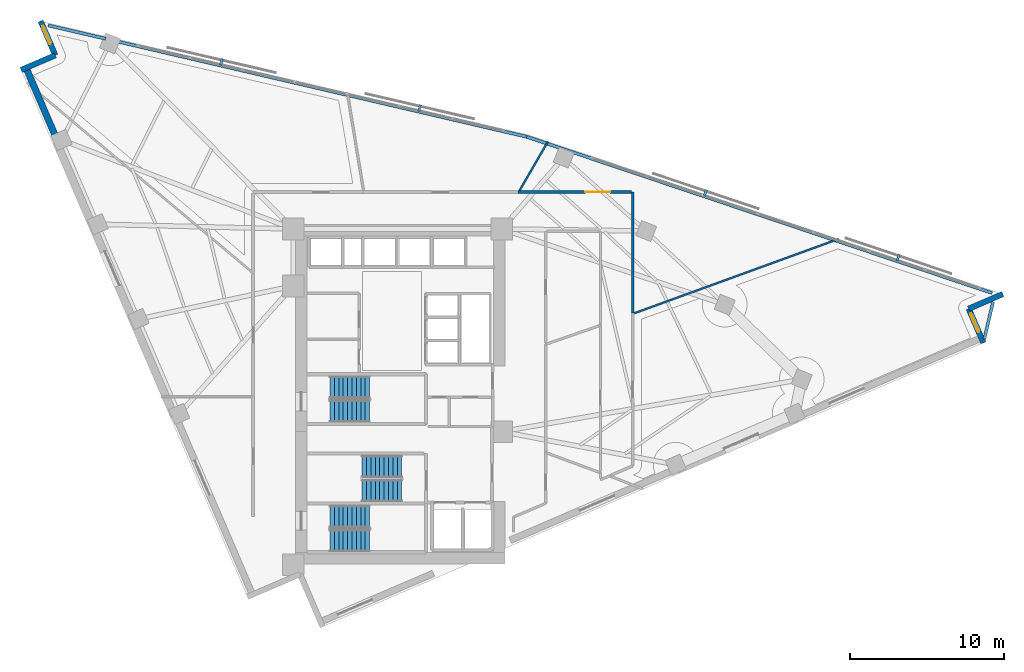
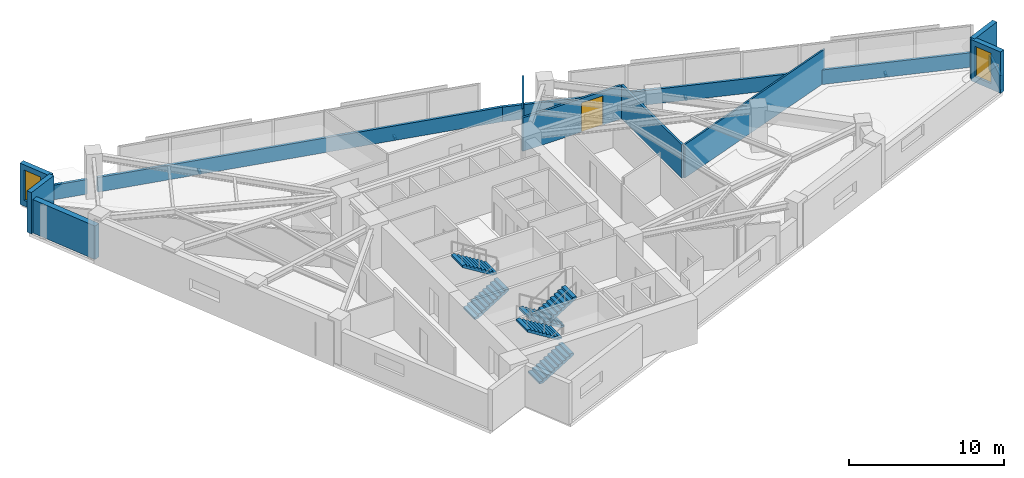
# One storey, part 12 of 14: 13 walls, 6 stair flights, 4 discrete accessories, 2 windows, 1 door, 3 openings, 3 elements without a shape of their own.
"""IFC4 building model written with IfcOpenShell, lengths in metres."""

from ifc_helpers import new_model, si_unit, direction, frame, frame_2d, origin, origin_2d, place, context, subcontext, project, spatial, polyline, rectangle, outline, extrude, material, layer, layer_set, type_object, element, fill, aggregate, save


model = new_model("IFC4")

# Units and contexts
model_context = context("Model", 3, precision=1e-05, world=origin(), true_north=direction((0.0, 1.0)))
body_context = subcontext(model_context, "Body", "Model", "MODEL_VIEW")
ifc_project = project(units=[si_unit("LENGTHUNIT", "METRE"), si_unit("AREAUNIT", "SQUARE_METRE"), si_unit("VOLUMEUNIT", "CUBIC_METRE"), si_unit("PLANEANGLEUNIT", "RADIAN"), si_unit("MASSUNIT", "GRAM", prefix="KILO")], contexts=[model_context])

# Site, building, storey
site_placement = place(None, origin())
site = spatial("IfcSite", under=ifc_project, at=site_placement, CompositionType="ELEMENT")
building_placement = place(site_placement, origin())
building = spatial("IfcBuilding", under=site, at=building_placement, Name="Narakoshi Arena Tower", CompositionType="ELEMENT")
storey_placement = place(building_placement, frame((0.0, 0.0, 182.6201171875)))
storey = spatial("IfcBuildingStorey", under=building, at=storey_placement, Name="L49", CompositionType="ELEMENT", Elevation=182.6201171875)

# Wall
ifc_material_1 = material(Name="Gypsum plasterboard fire-rated partition")
ifc_layer_1 = layer(ifc_material_1, 0.1650390625)
ifc_layer_set_1 = layer_set([ifc_layer_1], Name="Gypsum plasterboard fire-rated partition")
wall_type_1 = type_object("IfcWallType", Name="WL-CORR-165", PredefinedType="PARTITIONING", material=ifc_layer_set_1)
wall_1_placement = place(storey_placement, frame((94.050048828125, 51.05810546875, 0.0), z_axis=(0.0, 0.0, 1.0), x_axis=(0.0, 1.0, 0.0)))
element("IfcWall", 1, at=wall_1_placement, inside=storey, type_object=wall_type_1, Name="L49 Corridor Partition 05-1", PredefinedType="PARTITIONING", context=body_context, shape_type="SweptSolid", body=[
    extrude(rectangle(XDim=7.841796875, YDim=0.1650390625, at=frame_2d((3.9208984375, 0.0))), origin(), (0.0, 0.0, 1.0), 2.644775390625),
])

# Wall, opening, door
wall_2_placement = place(storey_placement, frame((93.95556640625, 58.89990234375, 0.0), z_axis=(0.0, 0.0, 1.0), x_axis=(-1.0, 0.0, 0.0)))
wall_2 = element("IfcWall", 2, at=wall_2_placement, inside=storey, type_object=wall_type_1, Name="L49 Corridor Partition 05-2", PredefinedType="PARTITIONING", context=body_context, shape_type="SweptSolid", body=[
    extrude(rectangle(XDim=7.354248046875, YDim=0.1650390625, at=frame_2d((3.67724609375, 0.0))), origin(), (0.0, 0.0, 1.0), 2.644775390625),
])
opening_1_placement = place(wall_2_placement, frame((1.3779296875, 0.0, 0.0)))
opening_1 = element("IfcOpeningElement", 3, at=opening_1_placement, cuts=wall_2, Name="Opening D-05", PredefinedType="OPENING", context=body_context, shape_type="SweptSolid", body=[
    extrude(rectangle(XDim=1.60009765625, YDim=2.300048828125, at=frame_2d((0.800048828125, 1.14990234375))), frame((0.0, 0.092529296875, 0.0), z_axis=(0.0, -1.0, 0.0), x_axis=(1.0, 0.0, 0.0)), (0.0, 0.0, 1.0), 0.18505859375),
])
ifc_material_2 = material(Name="Stained oak solid-core timber", Category="wood")
door_type = type_object("IfcDoorType", Name="DR-STE-1600", OperationType="DOUBLE_DOOR_SINGLE_SWING", PredefinedType="DOOR", material=ifc_material_2)
door_placement = place(opening_1_placement, frame((1.60009765625, 0.0, 0.0), z_axis=(0.0, 0.0, 1.0), x_axis=(-1.0, 0.0, 0.0)))
door = element("IfcDoor", 4, at=door_placement, inside=storey, type_object=door_type, Name="DR-L49-019", OperationType="DOUBLE_DOOR_SINGLE_SWING", OverallHeight=2.300048828125, OverallWidth=1.60009765625, PredefinedType="DOOR", context=body_context, shape_type="SweptSolid", body=[
    extrude(rectangle(XDim=1.60009765625, YDim=2.300048828125, at=frame_2d((0.800048828125, 1.14990234375))), frame((0.0, 0.02490234375, 0.0), z_axis=(0.0, -1.0, 0.0), x_axis=(1.0, 0.0, 0.0)), (0.0, 0.0, 1.0), 0.050048828125),
])
fill(opening_1, door)

# Walls
ifc_material_3 = material(Name="Precast concrete C45/55", Category="concrete")
ifc_layer_2 = layer(ifc_material_3, 0.25)
ifc_layer_set_2 = layer_set([ifc_layer_2], Name="Precast concrete C45/55")
wall_type_2 = type_object("IfcWallType", Name="WL-PARA-250", PredefinedType="PARAPET", material=ifc_layer_set_2)
wall_3_placement = place(storey_placement, frame((116.859130859375, 49.34912109375, 0.0), z_axis=(0.0, 0.0, 1.0), x_axis=(0.229175279812, 0.973385171, 0.0)))
element("IfcWall", 5, at=wall_3_placement, inside=storey, type_object=wall_type_2, Name="L49 Architectural Setback Ledge Parapet", PredefinedType="PARAPET", context=body_context, shape_type="SweptSolid", body=[
    extrude(rectangle(XDim=2.50244140625, YDim=0.199951171875, at=frame_2d((1.251220703125, 0.0))), origin(), (0.0, 0.0, 1.0), 1.14990234375),
])
wall_4_placement = place(storey_placement, frame((117.362548828125, 52.343505859375, 0.0), z_axis=(0.0, 0.0, 1.0), x_axis=(-0.94800468727, 0.31825636351, 0.0)))
element("IfcWall", 6, at=wall_4_placement, inside=storey, type_object=wall_type_2, Name="L49 Hypotenuse Sill Upstand Parapet 1-01", PredefinedType="PARAPET", context=body_context, shape_type="SweptSolid", body=[
    extrude(rectangle(XDim=31.869140625, YDim=0.199951171875, at=frame_2d((15.9345703125, 0.0))), origin(), (0.0, 0.0, 1.0), 1.14990234375),
])
wall_5_placement = place(storey_placement, frame((87.1650390625, 62.48193359375, 0.0), z_axis=(0.0, 0.0, 1.0), x_axis=(-0.973958631559, 0.226725790352, 0.0)))
element("IfcWall", 7, at=wall_5_placement, inside=storey, type_object=wall_type_2, Name="L49 Hypotenuse Sill Upstand Parapet 2-01", PredefinedType="PARAPET", context=body_context, shape_type="SweptSolid", body=[
    extrude(rectangle(XDim=27.375732421875, YDim=0.199951171875, at=frame_2d((13.68798828125, 0.0))), origin(), (0.0, 0.0, 1.0), 1.14990234375),
])
wall_6_placement = place(storey_placement, frame((59.8408203125, 68.842529296875, 0.0), z_axis=(0.0, 0.0, 1.0), x_axis=(-0.973951848941, 0.226754924851, 0.0)))
element("IfcWall", 8, at=wall_6_placement, inside=storey, type_object=wall_type_2, Name="L49 Hypotenuse Sill Upstand Parapet 2-02", PredefinedType="PARAPET", context=body_context, shape_type="SweptSolid", body=[
    extrude(rectangle(XDim=3.837158203125, YDim=0.199951171875, at=frame_2d((1.91845703125, 0.0))), origin(), (0.0, 0.0, 1.0), 1.14990234375),
])
ifc_layer_3 = layer(ifc_material_1, 0.125)
ifc_layer_set_3 = layer_set([ifc_layer_3], Name="Gypsum plasterboard fire-rated partition")
wall_type_3 = type_object("IfcWallType", Name="WL-PART-125", PredefinedType="PARTITIONING", material=ifc_layer_set_3)
wall_7_placement = place(storey_placement, frame((94.14453125, 51.032470703125, 0.0), z_axis=(0.0, 0.0, 1.0), x_axis=(0.939805041103, 0.341711112955, 0.0)))
element("IfcWall", 9, at=wall_7_placement, inside=storey, type_object=wall_type_3, Name="L49 Inter-Room Partition 04-05", PredefinedType="PARTITIONING", context=body_context, shape_type="SweptSolid", body=[
    extrude(rectangle(XDim=14.111328125, YDim=0.125, at=frame_2d((7.0556640625, 0.0))), origin(), (0.0, 0.0, 1.0), 2.644775390625),
])
wall_8_placement = place(storey_placement, frame((86.69775390625, 58.994384765625, 0.0), z_axis=(0.0, 0.0, 1.0), x_axis=(0.501304979079, 0.865270661672, 0.0)))
element("IfcWall", 10, at=wall_8_placement, inside=storey, type_object=wall_type_3, Name="L49 Inter-Room Partition 05-07", PredefinedType="PARTITIONING", context=body_context, shape_type="SweptSolid", body=[
    extrude(rectangle(XDim=3.688720703125, YDim=0.125, at=frame_2d((1.84423828125, 0.0))), origin(), (0.0, 0.0, 1.0), 3.259765625),
])
ifc_layer_4 = layer(ifc_material_3, 0.419921875)
ifc_layer_set_4 = layer_set([ifc_layer_4], Name="Precast concrete C45/55")
wall_type_4 = type_object("IfcWallType", Name="WL-POD-420", PredefinedType="SOLIDWALL", material=ifc_layer_set_4)
wall_9_placement = place(storey_placement, frame((54.6708984375, 66.958984375, 0.0), z_axis=(0.0, 0.0, 1.0), x_axis=(0.394733507229, -0.918795656428, 0.0)))
element("IfcWall", 11, at=wall_9_placement, inside=storey, type_object=wall_type_4, Name="L49 Architectural Concrete Facade Wall LEGB-1", PredefinedType="SOLIDWALL", context=body_context, shape_type="SweptSolid", body=[
    extrude(rectangle(XDim=5.210205078125, YDim=0.419921875, at=frame_2d((2.60498046875, 0.0))), origin(), (0.0, 0.0, 1.0), 2.644775390625),
])

# Wall, opening, window
wall_10_placement = place(storey_placement, frame((116.8017578125, 49.105712890625, 0.0), z_axis=(0.0, 0.0, 1.0), x_axis=(-0.394712707157, 0.918804592288, 0.0)))
wall_10 = element("IfcWall", 12, at=wall_10_placement, inside=storey, type_object=wall_type_4, Name="L49 Re-Entrant Corner Notch Wall NTE-1", PredefinedType="SOLIDWALL", context=body_context, shape_type="SweptSolid", body=[
    extrude(rectangle(XDim=2.41357421875, YDim=0.360107421875, at=frame_2d((1.206787109375, 0.0))), origin(), (0.0, 0.0, 1.0), 3.259765625),
])
opening_2_placement = place(wall_10_placement, frame((0.7734375, 0.0, 0.449951171875)))
opening_2 = element("IfcOpeningElement", 13, at=opening_2_placement, cuts=wall_10, Name="Opening WN-06", PredefinedType="OPENING", context=body_context, shape_type="SweptSolid", body=[
    extrude(rectangle(XDim=1.300048828125, YDim=2.39990234375, at=frame_2d((0.64990234375, 1.199951171875))), frame((0.0, 0.18994140625, 0.0), z_axis=(0.0, -1.0, 0.0), x_axis=(1.0, 0.0, 0.0)), (0.0, 0.0, 1.0), 0.380126953125),
])
ifc_material_4 = material(Name="Bronze-tinted low-E laminated glass", Category="glass")
window_type = type_object("IfcWindowType", Name="WIN-NTC-16x24", PartitioningType="SINGLE_PANEL", PredefinedType="WINDOW", material=ifc_material_4)
window_1_placement = place(opening_2_placement, origin())
window_1 = element("IfcWindow", 14, at=window_1_placement, inside=storey, type_object=window_type, Name="L49 Corner Notch Window NTE", OverallHeight=2.39990234375, OverallWidth=1.300048828125, PartitioningType="SINGLE_PANEL", PredefinedType="WINDOW", context=body_context, shape_type="SweptSolid", body=[
    extrude(rectangle(XDim=1.300048828125, YDim=2.39990234375, at=frame_2d((0.64990234375, 1.199951171875))), frame((0.0, 0.030029296875, 0.0), z_axis=(0.0, -1.0, 0.0), x_axis=(1.0, 0.0, 0.0)), (0.0, 0.0, 1.0), 0.06005859375),
])
fill(opening_2, window_1)

# Wall
wall_11_placement = place(storey_placement, frame((115.84912109375, 51.3232421875, 0.0), z_axis=(0.0, 0.0, 1.0), x_axis=(0.918788830096, 0.394749396062, 0.0)))
element("IfcWall", 15, at=wall_11_placement, inside=storey, type_object=wall_type_4, Name="L49 Re-Entrant Corner Notch Wall NTE-2", PredefinedType="SOLIDWALL", context=body_context, shape_type="SweptSolid", body=[
    extrude(rectangle(XDim=2.413330078125, YDim=0.360107421875, at=frame_2d((1.20654296875, 0.0))), origin(), (0.0, 0.0, 1.0), 3.259765625),
])

# Wall, opening, window
wall_12_placement = place(storey_placement, frame((55.614013671875, 69.99072265625, 0.0), z_axis=(0.0, 0.0, 1.0), x_axis=(0.394663989422, -0.918825519592, 0.0)))
wall_12 = element("IfcWall", 16, at=wall_12_placement, inside=storey, type_object=wall_type_4, Name="L49 Re-Entrant Corner Notch Wall NTN-1", PredefinedType="SOLIDWALL", context=body_context, shape_type="SweptSolid", body=[
    extrude(rectangle(XDim=2.4130859375, YDim=0.360107421875, at=frame_2d((1.20654296875, 0.0))), origin(), (0.0, 0.0, 1.0), 3.259765625),
])
opening_3_placement = place(wall_12_placement, frame((0.340087890625, 0.0, 0.449951171875)))
opening_3 = element("IfcOpeningElement", 17, at=opening_3_placement, cuts=wall_12, Name="Opening WN-06", PredefinedType="OPENING", context=body_context, shape_type="SweptSolid", body=[
    extrude(rectangle(XDim=1.300048828125, YDim=2.39990234375, at=frame_2d((0.64990234375, 1.199951171875))), frame((0.0, 0.18994140625, 0.0), z_axis=(0.0, -1.0, 0.0), x_axis=(1.0, 0.0, 0.0)), (0.0, 0.0, 1.0), 0.380126953125),
])
window_2_placement = place(opening_3_placement, origin())
window_2 = element("IfcWindow", 18, at=window_2_placement, inside=storey, type_object=window_type, Name="L49 Corner Notch Window NTN", OverallHeight=2.39990234375, OverallWidth=1.300048828125, PartitioningType="SINGLE_PANEL", PredefinedType="WINDOW", context=body_context, shape_type="SweptSolid", body=[
    extrude(rectangle(XDim=1.300048828125, YDim=2.39990234375, at=frame_2d((0.64990234375, 1.199951171875))), frame((0.0, 0.030029296875, 0.0), z_axis=(0.0, -1.0, 0.0), x_axis=(1.0, 0.0, 0.0)), (0.0, 0.0, 1.0), 0.06005859375),
])
fill(opening_3, window_2)

# Wall
wall_13_placement = place(storey_placement, frame((56.56640625, 67.7734375, 0.0), z_axis=(0.0, 0.0, 1.0), x_axis=(-0.918788830096, -0.394749396062, 0.0)))
element("IfcWall", 19, at=wall_13_placement, inside=storey, type_object=wall_type_4, Name="L49 Re-Entrant Corner Notch Wall NTN-2", PredefinedType="SOLIDWALL", context=body_context, shape_type="SweptSolid", body=[
    extrude(rectangle(XDim=2.413330078125, YDim=0.360107421875, at=frame_2d((1.20654296875, 0.0))), origin(), (0.0, 0.0, 1.0), 3.259765625),
])

# Stair, stair flights
ifc_material_5 = material(Name="Concrete C45/55", Category="concrete")
stair_type = type_object("IfcStairType", Name="STR-CORE-352", PredefinedType="TWO_STRAIGHT_RUN_STAIR", material=ifc_material_5)
stair_1_placement = place(storey_placement, origin())
stair_1 = element("IfcStair", 20, at=stair_1_placement, inside=storey, type_object=stair_type, Name="L49 Core Escape Stair ST1", PredefinedType="TWO_STRAIGHT_RUN_STAIR")
stair_flight_type = type_object("IfcStairFlightType", Name="FLT-145-160", PredefinedType="STRAIGHT", material=ifc_material_3)
stair_flight_1_placement = place(storey_placement, frame((74.39990234375, 36.27490234375, 0.0), z_axis=(0.0, 0.0, 1.0), x_axis=(1.0, 0.0, 0.0)))
stair_flight_1 = element("IfcStairFlight", 21, at=stair_flight_1_placement, type_object=stair_flight_type, Name="ST1 flight 1", NumberOfRisers=10, NumberOfTreads=9, PredefinedType="STRAIGHT", RiserHeight=0.176, TreadLength=0.285, context=body_context, shape_type="SweptSolid", body=[
    extrude(outline(polyline([(0.0, 0.0), (0.0, 0.176025390625), (0.284912109375, 0.176025390625), (0.284912109375, 0.35205078125), (0.570068359375, 0.35205078125), (0.570068359375, 0.528076171875), (0.85498046875, 0.528076171875), (0.85498046875, 0.7041015625), (1.139892578125, 0.7041015625), (1.139892578125, 0.8798828125), (1.425048828125, 0.8798828125), (1.425048828125, 1.055908203125), (1.7099609375, 1.055908203125), (1.7099609375, 1.23193359375), (1.9951171875, 1.23193359375), (1.9951171875, 1.407958984375), (2.280029296875, 1.407958984375), (2.280029296875, 1.583984375), (2.56494140625, 1.583984375), (2.56494140625, 1.760009765625), (2.56494140625, 1.40771484375), (0.285400390625, 0.0), (0.0, 0.0)])), frame((0.0, 0.72509765625, 0.0), z_axis=(0.0, -1.0, 0.0), x_axis=(1.0, 0.0, 0.0)), (0.0, 0.0, 1.0), 1.449951171875),
])
stair_flight_2_placement = place(storey_placement, frame((76.965087890625, 37.824951171875, 1.759765625), z_axis=(0.0, 0.0, 1.0), x_axis=(-1.0, 0.0, 0.0)))
stair_flight_2 = element("IfcStairFlight", 22, at=stair_flight_2_placement, type_object=stair_flight_type, Name="ST1 flight 2", NumberOfRisers=10, NumberOfTreads=9, PredefinedType="STRAIGHT", RiserHeight=0.176, TreadLength=0.285, context=body_context, shape_type="SweptSolid", body=[
    extrude(outline(polyline([(0.0, 0.0), (0.0, 0.176025390625), (0.284912109375, 0.176025390625), (0.284912109375, 0.35205078125), (0.570068359375, 0.35205078125), (0.570068359375, 0.528076171875), (0.85498046875, 0.528076171875), (0.85498046875, 0.7041015625), (1.139892578125, 0.7041015625), (1.139892578125, 0.8798828125), (1.425048828125, 0.8798828125), (1.425048828125, 1.055908203125), (1.7099609375, 1.055908203125), (1.7099609375, 1.23193359375), (1.9951171875, 1.23193359375), (1.9951171875, 1.407958984375), (2.280029296875, 1.407958984375), (2.280029296875, 1.583984375), (2.56494140625, 1.583984375), (2.56494140625, 1.760009765625), (2.56494140625, 1.40771484375), (0.285400390625, 0.0), (0.0, 0.0)])), frame((0.0, 0.72509765625, 0.0), z_axis=(0.0, -1.0, 0.0), x_axis=(1.0, 0.0, 0.0)), (0.0, 0.0, 1.0), 1.449951171875),
])
aggregate(stair_1, [stair_flight_1, stair_flight_2])

stair_2_placement = place(storey_placement, origin())
stair_2 = element("IfcStair", 23, at=stair_2_placement, inside=storey, type_object=stair_type, Name="L49 Core Escape Stair ST2", PredefinedType="TWO_STRAIGHT_RUN_STAIR")
stair_flight_3_placement = place(storey_placement, frame((79.050048828125, 41.074951171875, 0.0), z_axis=(0.0, 0.0, 1.0), x_axis=(-1.0, 0.0, 0.0)))
stair_flight_3 = element("IfcStairFlight", 24, at=stair_flight_3_placement, type_object=stair_flight_type, Name="ST2 flight 1", NumberOfRisers=10, NumberOfTreads=9, PredefinedType="STRAIGHT", RiserHeight=0.176, TreadLength=0.285, context=body_context, shape_type="SweptSolid", body=[
    extrude(outline(polyline([(0.0, 0.0), (0.0, 0.176025390625), (0.284912109375, 0.176025390625), (0.284912109375, 0.35205078125), (0.570068359375, 0.35205078125), (0.570068359375, 0.528076171875), (0.85498046875, 0.528076171875), (0.85498046875, 0.7041015625), (1.139892578125, 0.7041015625), (1.139892578125, 0.8798828125), (1.425048828125, 0.8798828125), (1.425048828125, 1.055908203125), (1.7099609375, 1.055908203125), (1.7099609375, 1.23193359375), (1.9951171875, 1.23193359375), (1.9951171875, 1.407958984375), (2.280029296875, 1.407958984375), (2.280029296875, 1.583984375), (2.56494140625, 1.583984375), (2.56494140625, 1.760009765625), (2.56494140625, 1.40771484375), (0.285400390625, 0.0), (0.0, 0.0)])), frame((0.0, 0.72509765625, 0.0), z_axis=(0.0, -1.0, 0.0), x_axis=(1.0, 0.0, 0.0)), (0.0, 0.0, 1.0), 1.449951171875),
])
stair_flight_4_placement = place(storey_placement, frame((76.485107421875, 39.52490234375, 1.759765625), z_axis=(0.0, 0.0, 1.0), x_axis=(1.0, 0.0, 0.0)))
stair_flight_4 = element("IfcStairFlight", 25, at=stair_flight_4_placement, type_object=stair_flight_type, Name="ST2 flight 2", NumberOfRisers=10, NumberOfTreads=9, PredefinedType="STRAIGHT", RiserHeight=0.176, TreadLength=0.285, context=body_context, shape_type="SweptSolid", body=[
    extrude(outline(polyline([(0.0, 0.0), (0.0, 0.176025390625), (0.284912109375, 0.176025390625), (0.284912109375, 0.35205078125), (0.570068359375, 0.35205078125), (0.570068359375, 0.528076171875), (0.85498046875, 0.528076171875), (0.85498046875, 0.7041015625), (1.139892578125, 0.7041015625), (1.139892578125, 0.8798828125), (1.425048828125, 0.8798828125), (1.425048828125, 1.055908203125), (1.7099609375, 1.055908203125), (1.7099609375, 1.23193359375), (1.9951171875, 1.23193359375), (1.9951171875, 1.407958984375), (2.280029296875, 1.407958984375), (2.280029296875, 1.583984375), (2.56494140625, 1.583984375), (2.56494140625, 1.760009765625), (2.56494140625, 1.40771484375), (0.285400390625, 0.0), (0.0, 0.0)])), frame((0.0, 0.72509765625, 0.0), z_axis=(0.0, -1.0, 0.0), x_axis=(1.0, 0.0, 0.0)), (0.0, 0.0, 1.0), 1.449951171875),
])
aggregate(stair_2, [stair_flight_3, stair_flight_4])

stair_3_placement = place(storey_placement, origin())
stair_3 = element("IfcStair", 26, at=stair_3_placement, inside=storey, type_object=stair_type, Name="L49 Core Escape Stair ST3", PredefinedType="TWO_STRAIGHT_RUN_STAIR")
stair_flight_5_placement = place(storey_placement, frame((74.39990234375, 44.675048828125, 0.0), z_axis=(0.0, 0.0, 1.0), x_axis=(1.0, 0.0, 0.0)))
stair_flight_5 = element("IfcStairFlight", 27, at=stair_flight_5_placement, type_object=stair_flight_type, Name="ST3 flight 1", NumberOfRisers=10, NumberOfTreads=9, PredefinedType="STRAIGHT", RiserHeight=0.176, TreadLength=0.285, context=body_context, shape_type="SweptSolid", body=[
    extrude(outline(polyline([(0.0, 0.0), (0.0, 0.176025390625), (0.284912109375, 0.176025390625), (0.284912109375, 0.35205078125), (0.570068359375, 0.35205078125), (0.570068359375, 0.528076171875), (0.85498046875, 0.528076171875), (0.85498046875, 0.7041015625), (1.139892578125, 0.7041015625), (1.139892578125, 0.8798828125), (1.425048828125, 0.8798828125), (1.425048828125, 1.055908203125), (1.7099609375, 1.055908203125), (1.7099609375, 1.23193359375), (1.9951171875, 1.23193359375), (1.9951171875, 1.407958984375), (2.280029296875, 1.407958984375), (2.280029296875, 1.583984375), (2.56494140625, 1.583984375), (2.56494140625, 1.760009765625), (2.56494140625, 1.40771484375), (0.285400390625, 0.0), (0.0, 0.0)])), frame((0.0, 0.72509765625, 0.0), z_axis=(0.0, -1.0, 0.0), x_axis=(1.0, 0.0, 0.0)), (0.0, 0.0, 1.0), 1.449951171875),
])
stair_flight_6_placement = place(storey_placement, frame((76.965087890625, 46.22509765625, 1.759765625), z_axis=(0.0, 0.0, 1.0), x_axis=(-1.0, 0.0, 0.0)))
stair_flight_6 = element("IfcStairFlight", 28, at=stair_flight_6_placement, type_object=stair_flight_type, Name="ST3 flight 2", NumberOfRisers=10, NumberOfTreads=9, PredefinedType="STRAIGHT", RiserHeight=0.176, TreadLength=0.285, context=body_context, shape_type="SweptSolid", body=[
    extrude(outline(polyline([(0.0, 0.0), (0.0, 0.176025390625), (0.284912109375, 0.176025390625), (0.284912109375, 0.35205078125), (0.570068359375, 0.35205078125), (0.570068359375, 0.528076171875), (0.85498046875, 0.528076171875), (0.85498046875, 0.7041015625), (1.139892578125, 0.7041015625), (1.139892578125, 0.8798828125), (1.425048828125, 0.8798828125), (1.425048828125, 1.055908203125), (1.7099609375, 1.055908203125), (1.7099609375, 1.23193359375), (1.9951171875, 1.23193359375), (1.9951171875, 1.407958984375), (2.280029296875, 1.407958984375), (2.280029296875, 1.583984375), (2.56494140625, 1.583984375), (2.56494140625, 1.760009765625), (2.56494140625, 1.40771484375), (0.285400390625, 0.0), (0.0, 0.0)])), frame((0.0, 0.72509765625, 0.0), z_axis=(0.0, -1.0, 0.0), x_axis=(1.0, 0.0, 0.0)), (0.0, 0.0, 1.0), 1.449951171875),
])
aggregate(stair_3, [stair_flight_5, stair_flight_6])

# Discrete accessories
ifc_material_6 = material(Name="Structural steel S355J2", Category="steel")
discrete_accessory_type = type_object("IfcDiscreteAccessoryType", Name="ACC-BRK-SCR", PredefinedType="BRACKET", material=ifc_material_6)
for number, where, z_axis, x_axis, name in (
    (29, (111.266357421875, 54.64306640625, -0.080078125), (0.0, 0.0, 1.0), (-0.948001964735, 0.318264473134, 0.0), "L49 Solar Screen Support Bracket SHD-L49-SCR1-1"),
    (30, (98.752685546875, 58.84423828125, -0.080078125), (0.0, 0.0, 1.0), (-0.948001964735, 0.318264473134, 0.0), "L49 Solar Screen Support Bracket SHD-L49-SCR1-2"),
    (31, (80.206787109375, 64.34814453125, -0.080078125), (0.0, 0.0, 1.0), (-0.973960141659, 0.226719303234, 0.0), "L49 Solar Screen Support Bracket SHD-L49-SCR2-1"),
    (32, (67.3505859375, 67.3408203125, -0.080078125), (0.0, 0.0, 1.0), (-0.973960141659, 0.226719303234, 0.0), "L49 Solar Screen Support Bracket SHD-L49-SCR2-2"),
):
    element("IfcDiscreteAccessory", number, at=place(storey_placement, frame(where, z_axis=z_axis, x_axis=x_axis)), inside=storey, type_object=discrete_accessory_type, Name=name, PredefinedType="BRACKET", context=body_context, shape_type="SweptSolid", body=[
        extrude(rectangle(XDim=0.159912109375, YDim=0.43994140625, at=origin_2d()), origin(), (0.0, 0.0, 1.0), 0.199951171875),
    ])

save(model, "model.ifc")
